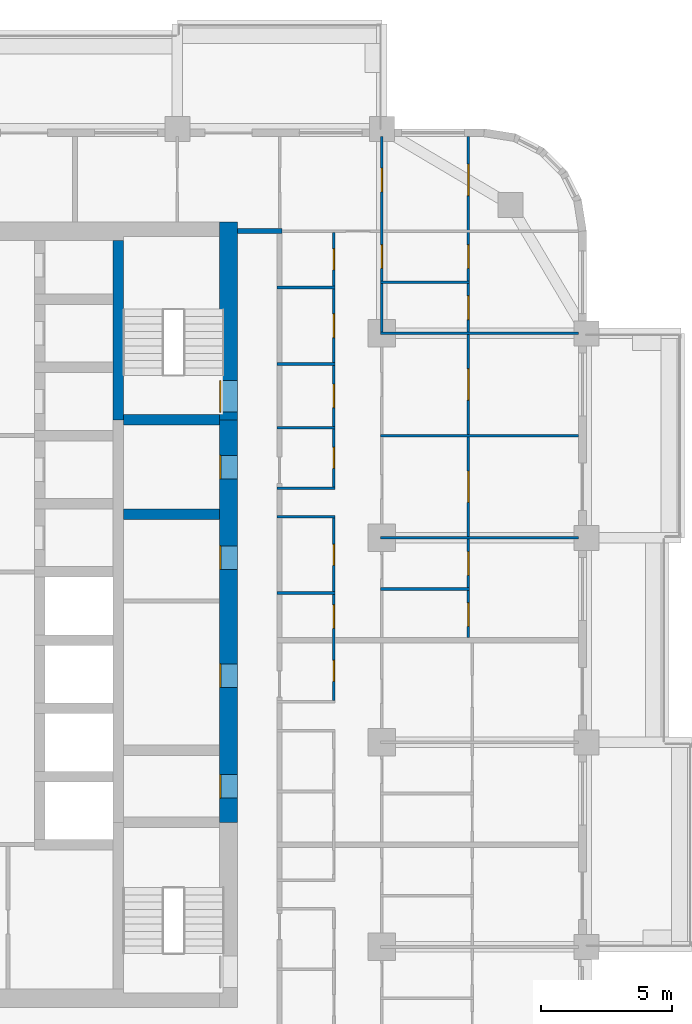
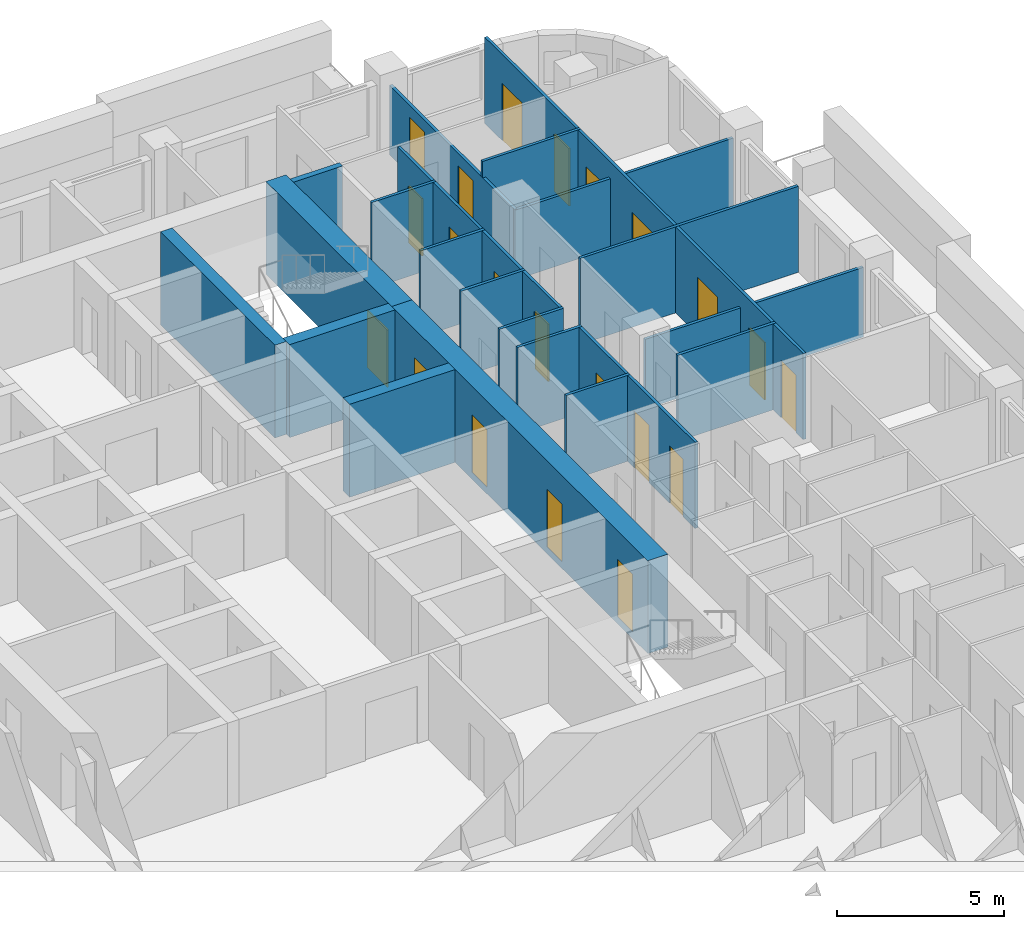
# One storey, part 12 of 17: 21 doors, 21 walls, 21 openings.
"""IFC4 building model written with IfcOpenShell, lengths in metres."""

from ifc_helpers import new_model, si_unit, direction, frame, frame_2d, origin, place, context, subcontext, project, spatial, rectangle, extrude, material, layer, layer_set, type_object, element, fill, save


model = new_model("IFC4")

# Units and contexts
model_context = context("Model", 3, precision=1e-05, world=origin(), true_north=direction((0.0, 1.0)))
body_context = subcontext(model_context, "Body", "Model", "MODEL_VIEW")
ifc_project = project(units=[si_unit("LENGTHUNIT", "METRE"), si_unit("AREAUNIT", "SQUARE_METRE"), si_unit("VOLUMEUNIT", "CUBIC_METRE"), si_unit("PLANEANGLEUNIT", "RADIAN"), si_unit("MASSUNIT", "GRAM", prefix="KILO")], contexts=[model_context])

# Site, building, storey
site_placement = place(None, origin())
site = spatial("IfcSite", under=ifc_project, at=site_placement, CompositionType="ELEMENT")
building_placement = place(site_placement, origin())
building = spatial("IfcBuilding", under=site, at=building_placement, Name="Ludao Terraces", CompositionType="ELEMENT")
storey_placement = place(building_placement, frame((0.0, 0.0, 85.199951171875)))
storey = spatial("IfcBuildingStorey", under=building, at=storey_placement, Name="L23", CompositionType="ELEMENT", Elevation=85.199951171875)

# Wall, openings, doors
ifc_material_1 = material(Name="Concrete C70", Category="concrete")
ifc_layer_1 = layer(ifc_material_1, 0.699951171875)
ifc_layer_set_1 = layer_set([ifc_layer_1], Name="Core wall 700 C70")
wall_type_1 = type_object("IfcWallType", Name="Core wall 700 C70", PredefinedType="SOLIDWALL", material=ifc_layer_set_1)
wall_1_placement = place(storey_placement, frame((94.75, 61.949951171875, -0.25), z_axis=(0.0, 0.0, 1.0), x_axis=(0.0, 1.0, 0.0)))
wall_1 = element("IfcWall", 1, at=wall_1_placement, inside=storey, type_object=wall_type_1, Name="Core wall L23 outer-E", PredefinedType="SOLIDWALL", context=body_context, shape_type="SweptSolid", body=[
    extrude(rectangle(XDim=15.35009765625, YDim=0.699951171875, at=frame_2d((7.675048828125, 0.0))), origin(), (0.0, 0.0, 1.0), 3.400146484375),
])
opening_1_placement = place(wall_1_placement, frame((0.925048828125, 0.0, 0.25)))
opening_1 = element("IfcOpeningElement", 2, at=opening_1_placement, cuts=wall_1, Name="Opening R07-080", PredefinedType="OPENING", context=body_context, shape_type="SweptSolid", body=[
    extrude(rectangle(XDim=0.89990234375, YDim=2.10009765625, at=frame_2d((0.449951171875, 1.050048828125))), frame((0.0, 0.35986328125, 0.0), z_axis=(0.0, -1.0, 0.0), x_axis=(1.0, 0.0, 0.0)), (0.0, 0.0, 1.0), 0.719970703125),
])
opening_2_placement = place(wall_1_placement, frame((5.14990234375, 0.0, 0.25)))
opening_2 = element("IfcOpeningElement", 3, at=opening_2_placement, cuts=wall_1, Name="Opening R07-091", PredefinedType="OPENING", context=body_context, shape_type="SweptSolid", body=[
    extrude(rectangle(XDim=0.89990234375, YDim=2.10009765625, at=frame_2d((0.449951171875, 1.050048828125))), frame((0.0, 0.35986328125, 0.0), z_axis=(0.0, -1.0, 0.0), x_axis=(1.0, 0.0, 0.0)), (0.0, 0.0, 1.0), 0.719970703125),
])
opening_3_placement = place(wall_1_placement, frame((9.64990234375, 0.0, 0.25)))
opening_3 = element("IfcOpeningElement", 4, at=opening_3_placement, cuts=wall_1, Name="Opening R07-108", PredefinedType="OPENING", context=body_context, shape_type="SweptSolid", body=[
    extrude(rectangle(XDim=0.89990234375, YDim=2.10009765625, at=frame_2d((0.449951171875, 1.050048828125))), frame((0.0, 0.35986328125, 0.0), z_axis=(0.0, -1.0, 0.0), x_axis=(1.0, 0.0, 0.0)), (0.0, 0.0, 1.0), 0.719970703125),
])
opening_4_placement = place(wall_1_placement, frame((13.10009765625, 0.0, 0.25)))
opening_4 = element("IfcOpeningElement", 5, at=opening_4_placement, cuts=wall_1, Name="Opening R07-120", PredefinedType="OPENING", context=body_context, shape_type="SweptSolid", body=[
    extrude(rectangle(XDim=0.89990234375, YDim=2.10009765625, at=frame_2d((0.449951171875, 1.050048828125))), frame((0.0, 0.35986328125, 0.0), z_axis=(0.0, -1.0, 0.0), x_axis=(1.0, 0.0, 0.0)), (0.0, 0.0, 1.0), 0.719970703125),
])
ifc_material_2 = material(Name="Steel Q235", Category="steel")
door_type_1 = type_object("IfcDoorType", Name="INT Riser door 900", OperationType="SINGLE_SWING_LEFT", PredefinedType="DOOR", material=ifc_material_2)
door_1_placement = place(opening_1_placement, origin())
door_1 = element("IfcDoor", 6, at=door_1_placement, inside=storey, type_object=door_type_1, Name="DOOR 080", OperationType="SINGLE_SWING_RIGHT", OverallHeight=2.10009765625, OverallWidth=0.89990234375, PredefinedType="DOOR", context=body_context, shape_type="SweptSolid", body=[
    extrude(rectangle(XDim=0.89990234375, YDim=2.10009765625, at=frame_2d((0.449951171875, 1.050048828125))), frame((0.0, 0.3349609375, 0.0), z_axis=(0.0, -1.0, 0.0), x_axis=(1.0, 0.0, 0.0)), (0.0, 0.0, 1.0), 0.050048828125),
])
fill(opening_1, door_1)
door_2_placement = place(opening_4_placement, origin())
door_2 = element("IfcDoor", 7, at=door_2_placement, inside=storey, type_object=door_type_1, Name="DOOR 120", OperationType="SINGLE_SWING_LEFT", OverallHeight=2.10009765625, OverallWidth=0.89990234375, PredefinedType="DOOR", context=body_context, shape_type="SweptSolid", body=[
    extrude(rectangle(XDim=0.89990234375, YDim=2.10009765625, at=frame_2d((0.449951171875, 1.050048828125))), frame((0.0, 0.3349609375, 0.0), z_axis=(0.0, -1.0, 0.0), x_axis=(1.0, 0.0, 0.0)), (0.0, 0.0, 1.0), 0.050048828125),
])
fill(opening_4, door_2)
ifc_material_3 = material(Name="Timber door leaf", Category="wood")
door_type_2 = type_object("IfcDoorType", Name="INT Room door 900", OperationType="SINGLE_SWING_LEFT", PredefinedType="DOOR", material=ifc_material_3)
door_3_placement = place(opening_2_placement, origin())
door_3 = element("IfcDoor", 8, at=door_3_placement, inside=storey, type_object=door_type_2, Name="DOOR 091", OperationType="SINGLE_SWING_LEFT", OverallHeight=2.10009765625, OverallWidth=0.89990234375, PredefinedType="DOOR", context=body_context, shape_type="SweptSolid", body=[
    extrude(rectangle(XDim=0.89990234375, YDim=2.10009765625, at=frame_2d((0.449951171875, 1.050048828125))), frame((0.0, 0.3349609375, 0.0), z_axis=(0.0, -1.0, 0.0), x_axis=(1.0, 0.0, 0.0)), (0.0, 0.0, 1.0), 0.050048828125),
])
fill(opening_2, door_3)
door_4_placement = place(opening_3_placement, origin())
door_4 = element("IfcDoor", 9, at=door_4_placement, inside=storey, type_object=door_type_2, Name="DOOR 108", OperationType="SINGLE_SWING_RIGHT", OverallHeight=2.10009765625, OverallWidth=0.89990234375, PredefinedType="DOOR", context=body_context, shape_type="SweptSolid", body=[
    extrude(rectangle(XDim=0.89990234375, YDim=2.10009765625, at=frame_2d((0.449951171875, 1.050048828125))), frame((0.0, 0.3349609375, 0.0), z_axis=(0.0, -1.0, 0.0), x_axis=(1.0, 0.0, 0.0)), (0.0, 0.0, 1.0), 0.050048828125),
])
fill(opening_3, door_4)

# Wall, opening, door
wall_2_placement = place(storey_placement, frame((94.75, 77.300048828125, -0.25), z_axis=(0.0, 0.0, 1.0), x_axis=(0.0, 1.0, 0.0)))
wall_2 = element("IfcWall", 10, at=wall_2_placement, inside=storey, type_object=wall_type_1, Name="Core wall L23 outer-E-S2", PredefinedType="SOLIDWALL", context=body_context, shape_type="SweptSolid", body=[
    extrude(rectangle(XDim=7.550048828125, YDim=0.699951171875, at=frame_2d((3.77490234375, 0.0))), origin(), (0.0, 0.0, 1.0), 3.400146484375),
])
opening_5_placement = place(wall_2_placement, frame((0.300048828125, 0.0, 0.25)))
opening_5 = element("IfcOpeningElement", 11, at=opening_5_placement, cuts=wall_2, Name="Opening R07-132", PredefinedType="OPENING", context=body_context, shape_type="SweptSolid", body=[
    extrude(rectangle(XDim=1.199951171875, YDim=2.10009765625, at=frame_2d((0.60009765625, 1.050048828125))), frame((0.0, 0.35986328125, 0.0), z_axis=(0.0, -1.0, 0.0), x_axis=(1.0, 0.0, 0.0)), (0.0, 0.0, 1.0), 0.719970703125),
])
door_type_3 = type_object("IfcDoorType", Name="INT Stair door 1200", OperationType="DOUBLE_DOOR_SINGLE_SWING", PredefinedType="DOOR", material=ifc_material_2)
door_5_placement = place(opening_5_placement, origin())
door_5 = element("IfcDoor", 12, at=door_5_placement, inside=storey, type_object=door_type_3, Name="DOOR 132", OperationType="DOUBLE_DOOR_SINGLE_SWING", OverallHeight=2.10009765625, OverallWidth=1.199951171875, PredefinedType="DOOR", context=body_context, shape_type="SweptSolid", body=[
    extrude(rectangle(XDim=1.199951171875, YDim=2.10009765625, at=frame_2d((0.60009765625, 1.050048828125))), frame((0.0, 0.3349609375, 0.0), z_axis=(0.0, -1.0, 0.0), x_axis=(1.0, 0.0, 0.0)), (0.0, 0.0, 1.0), 0.050048828125),
])
fill(opening_5, door_5)

# Walls
ifc_material_4 = material(Name="Autoclaved aerated concrete block B06 A3.5", Category="concrete")
ifc_layer_2 = layer(ifc_material_4, 0.199951171875)
ifc_layer_set_2 = layer_set([ifc_layer_2], Name="INT Entrance wall 200")
wall_type_2 = type_object("IfcWallType", Name="INT Entrance wall 200", PredefinedType="PARTITIONING", material=ifc_layer_set_2)
wall_3_placement = place(storey_placement, frame((95.10009765625, 84.5, 0.0), z_axis=(0.0, 0.0, 1.0), x_axis=(1.0, 0.0, 0.0)))
element("IfcWall", 13, at=wall_3_placement, inside=storey, type_object=wall_type_2, Name="PW-L23-PW077", PredefinedType="PARTITIONING", context=body_context, shape_type="SweptSolid", body=[
    extrude(rectangle(XDim=1.699951171875, YDim=0.199951171875, at=frame_2d((0.85009765625, 0.0))), origin(), (0.0, 0.0, 1.0), 3.150146484375),
])
ifc_material_5 = material(Name="Gypsum plasterboard", Category="gypsum")
ifc_layer_3 = layer(ifc_material_5, 0.012451171875, Category="gypsum")
ifc_material_6 = material(Name="Mineral wool")
ifc_layer_4 = layer(ifc_material_6, 0.06005859375, Name="insulation")
ifc_layer_5 = layer(ifc_material_2, 0.014892578125, Name="stud")
ifc_layer_6 = layer(ifc_material_5, 0.012451171875, Category="gypsum")
ifc_layer_set_3 = layer_set([ifc_layer_3, ifc_layer_4, ifc_layer_5, ifc_layer_6], Name="INT Partition 100")
wall_type_3 = type_object("IfcWallType", Name="INT Partition 100", PredefinedType="PARTITIONING", material=ifc_layer_set_3)
wall_4_placement = place(storey_placement, frame((96.60009765625, 70.699951171875, 0.0), z_axis=(0.0, 0.0, 1.0), x_axis=(1.0, 0.0, 0.0)))
element("IfcWall", 14, at=wall_4_placement, inside=storey, type_object=wall_type_3, Name="PW-L23-PW049", PredefinedType="PARTITIONING", context=body_context, shape_type="SweptSolid", body=[
    extrude(rectangle(XDim=2.219970703125, YDim=0.10009765625, at=frame_2d((1.10986328125, 0.0))), origin(), (0.0, 0.0, 1.0), 3.150146484375),
])
wall_5_placement = place(storey_placement, frame((100.550048828125, 70.85009765625, 0.0), z_axis=(0.0, 0.0, 1.0), x_axis=(1.0, 0.0, 0.0)))
element("IfcWall", 15, at=wall_5_placement, inside=storey, type_object=wall_type_3, Name="PW-L23-PW051", PredefinedType="PARTITIONING", context=body_context, shape_type="SweptSolid", body=[
    extrude(rectangle(XDim=3.400146484375, YDim=0.10009765625, at=frame_2d((1.7001953125, 0.0))), origin(), (0.0, 0.0, 1.0), 3.150146484375),
])
wall_6_placement = place(storey_placement, frame((100.550048828125, 72.800048828125, 0.0), z_axis=(0.0, 0.0, 1.0), x_axis=(1.0, 0.0, 0.0)))
element("IfcWall", 16, at=wall_6_placement, inside=storey, type_object=wall_type_3, Name="PW-L23-PW055", PredefinedType="PARTITIONING", context=body_context, shape_type="SweptSolid", body=[
    extrude(rectangle(XDim=7.550048828125, YDim=0.10009765625, at=frame_2d((3.77490234375, 0.0))), origin(), (0.0, 0.0, 1.0), 2.550048828125),
])
for number, where, z_axis, x_axis, name in (
    (17, (96.60009765625, 73.60009765625, 0.0), (0.0, 0.0, 1.0), (1.0, 0.0, 0.0), "PW-L23-PW056"),
    (18, (96.60009765625, 74.699951171875, 0.0), (0.0, 0.0, 1.0), (1.0, 0.0, 0.0), "PW-L23-PW058"),
):
    element("IfcWall", number, at=place(storey_placement, frame(where, z_axis=z_axis, x_axis=x_axis)), inside=storey, type_object=wall_type_3, Name=name, PredefinedType="PARTITIONING", context=body_context, shape_type="SweptSolid", body=[
        extrude(rectangle(XDim=2.219970703125, YDim=0.10009765625, at=frame_2d((1.10986328125, 0.0))), origin(), (0.0, 0.0, 1.0), 3.150146484375),
    ])
wall_7_placement = place(storey_placement, frame((100.550048828125, 76.699951171875, 0.0), z_axis=(0.0, 0.0, 1.0), x_axis=(1.0, 0.0, 0.0)))
element("IfcWall", 19, at=wall_7_placement, inside=storey, type_object=wall_type_3, Name="PW-L23-PW063", PredefinedType="PARTITIONING", context=body_context, shape_type="SweptSolid", body=[
    extrude(rectangle(XDim=7.550048828125, YDim=0.10009765625, at=frame_2d((3.77490234375, 0.0))), origin(), (0.0, 0.0, 1.0), 3.150146484375),
])
for number, where, z_axis, x_axis, name in (
    (20, (96.60009765625, 77.0, 0.0), (0.0, 0.0, 1.0), (1.0, 0.0, 0.0), "PW-L23-PW064"),
    (21, (96.60009765625, 79.429931640625, 0.0), (0.0, 0.0, 1.0), (1.0, 0.0, 0.0), "PW-L23-PW067"),
):
    element("IfcWall", number, at=place(storey_placement, frame(where, z_axis=z_axis, x_axis=x_axis)), inside=storey, type_object=wall_type_3, Name=name, PredefinedType="PARTITIONING", context=body_context, shape_type="SweptSolid", body=[
        extrude(rectangle(XDim=2.219970703125, YDim=0.10009765625, at=frame_2d((1.10986328125, 0.0))), origin(), (0.0, 0.0, 1.0), 3.150146484375),
    ])
wall_8_placement = place(storey_placement, frame((100.550048828125, 80.60009765625, 0.0), z_axis=(0.0, 0.0, 1.0), x_axis=(1.0, 0.0, 0.0)))
element("IfcWall", 22, at=wall_8_placement, inside=storey, type_object=wall_type_3, Name="PW-L23-PW070", PredefinedType="PARTITIONING", context=body_context, shape_type="SweptSolid", body=[
    extrude(rectangle(XDim=7.550048828125, YDim=0.10009765625, at=frame_2d((3.77490234375, 0.0))), origin(), (0.0, 0.0, 1.0), 2.550048828125),
])
wall_9_placement = place(storey_placement, frame((96.60009765625, 82.35009765625, 0.0), z_axis=(0.0, 0.0, 1.0), x_axis=(1.0, 0.0, 0.0)))
element("IfcWall", 23, at=wall_9_placement, inside=storey, type_object=wall_type_3, Name="PW-L23-PW072", PredefinedType="PARTITIONING", context=body_context, shape_type="SweptSolid", body=[
    extrude(rectangle(XDim=2.219970703125, YDim=0.10009765625, at=frame_2d((1.10986328125, 0.0))), origin(), (0.0, 0.0, 1.0), 3.150146484375),
])
wall_10_placement = place(storey_placement, frame((100.550048828125, 82.550048828125, 0.0), z_axis=(0.0, 0.0, 1.0), x_axis=(1.0, 0.0, 0.0)))
element("IfcWall", 24, at=wall_10_placement, inside=storey, type_object=wall_type_3, Name="PW-L23-PW073", PredefinedType="PARTITIONING", context=body_context, shape_type="SweptSolid", body=[
    extrude(rectangle(XDim=3.400146484375, YDim=0.10009765625, at=frame_2d((1.7001953125, 0.0))), origin(), (0.0, 0.0, 1.0), 3.150146484375),
])

# Wall, openings, doors
wall_11_placement = place(storey_placement, frame((98.77001953125, 66.60009765625, 0.0), z_axis=(0.0, 0.0, 1.0), x_axis=(0.0, 1.0, 0.0)))
wall_11 = element("IfcWall", 25, at=wall_11_placement, inside=storey, type_object=wall_type_3, Name="PW-L23-PW119", PredefinedType="PARTITIONING", context=body_context, shape_type="SweptSolid", body=[
    extrude(rectangle(XDim=6.949951171875, YDim=0.10009765625, at=frame_2d((3.47509765625, 0.0))), origin(), (0.0, 0.0, 1.0), 3.150146484375),
])
opening_6_placement = place(wall_11_placement, frame((0.72509765625, 0.0, 0.0)))
opening_6 = element("IfcOpeningElement", 26, at=opening_6_placement, cuts=wall_11, Name="Opening R07-093", PredefinedType="OPENING", context=body_context, shape_type="SweptSolid", body=[
    extrude(rectangle(XDim=0.800048828125, YDim=2.10009765625, at=frame_2d((0.39990234375, 1.050048828125))), frame((0.0, 0.06005859375, 0.0), z_axis=(0.0, -1.0, 0.0), x_axis=(1.0, 0.0, 0.0)), (0.0, 0.0, 1.0), 0.1201171875),
])
opening_7_placement = place(wall_11_placement, frame((2.75, 0.0, 0.0)))
opening_7 = element("IfcOpeningElement", 27, at=opening_7_placement, cuts=wall_11, Name="Opening R07-097", PredefinedType="OPENING", context=body_context, shape_type="SweptSolid", body=[
    extrude(rectangle(XDim=0.89990234375, YDim=2.10009765625, at=frame_2d((0.449951171875, 1.050048828125))), frame((0.0, 0.06005859375, 0.0), z_axis=(0.0, -1.0, 0.0), x_axis=(1.0, 0.0, 0.0)), (0.0, 0.0, 1.0), 0.1201171875),
])
opening_8_placement = place(wall_11_placement, frame((5.14990234375, 0.0, 0.0)))
opening_8 = element("IfcOpeningElement", 28, at=opening_8_placement, cuts=wall_11, Name="Opening R07-109", PredefinedType="OPENING", context=body_context, shape_type="SweptSolid", body=[
    extrude(rectangle(XDim=0.800048828125, YDim=2.10009765625, at=frame_2d((0.39990234375, 1.050048828125))), frame((0.0, 0.06005859375, 0.0), z_axis=(0.0, -1.0, 0.0), x_axis=(1.0, 0.0, 0.0)), (0.0, 0.0, 1.0), 0.1201171875),
])
door_type_4 = type_object("IfcDoorType", Name="INT Bathroom door 900", OperationType="SINGLE_SWING_LEFT", PredefinedType="DOOR", material=ifc_material_3)
door_6_placement = place(opening_7_placement, origin())
door_6 = element("IfcDoor", 29, at=door_6_placement, inside=storey, type_object=door_type_4, Name="DOOR 097", OperationType="SINGLE_SWING_LEFT", OverallHeight=2.10009765625, OverallWidth=0.89990234375, PredefinedType="DOOR", context=body_context, shape_type="SweptSolid", body=[
    extrude(rectangle(XDim=0.89990234375, YDim=2.10009765625, at=frame_2d((0.449951171875, 1.050048828125))), frame((0.0, 0.02490234375, 0.0), z_axis=(0.0, -1.0, 0.0), x_axis=(1.0, 0.0, 0.0)), (0.0, 0.0, 1.0), 0.050048828125),
])
fill(opening_7, door_6)
door_type_5 = type_object("IfcDoorType", Name="INT Store door 800", OperationType="SINGLE_SWING_LEFT", PredefinedType="DOOR", material=ifc_material_3)
door_7_placement = place(opening_6_placement, origin())
door_7 = element("IfcDoor", 30, at=door_7_placement, inside=storey, type_object=door_type_5, Name="DOOR 093", OperationType="SINGLE_SWING_RIGHT", OverallHeight=2.10009765625, OverallWidth=0.800048828125, PredefinedType="DOOR", context=body_context, shape_type="SweptSolid", body=[
    extrude(rectangle(XDim=0.800048828125, YDim=2.10009765625, at=frame_2d((0.39990234375, 1.050048828125))), frame((0.0, 0.02490234375, 0.0), z_axis=(0.0, -1.0, 0.0), x_axis=(1.0, 0.0, 0.0)), (0.0, 0.0, 1.0), 0.050048828125),
])
fill(opening_6, door_7)
door_8_placement = place(opening_8_placement, origin())
door_8 = element("IfcDoor", 31, at=door_8_placement, inside=storey, type_object=door_type_5, Name="DOOR 109", OperationType="SINGLE_SWING_RIGHT", OverallHeight=2.10009765625, OverallWidth=0.800048828125, PredefinedType="DOOR", context=body_context, shape_type="SweptSolid", body=[
    extrude(rectangle(XDim=0.800048828125, YDim=2.10009765625, at=frame_2d((0.39990234375, 1.050048828125))), frame((0.0, 0.02490234375, 0.0), z_axis=(0.0, -1.0, 0.0), x_axis=(1.0, 0.0, 0.0)), (0.0, 0.0, 1.0), 0.050048828125),
])
fill(opening_8, door_8)

wall_12_placement = place(storey_placement, frame((98.77001953125, 74.75, 0.0), z_axis=(0.0, 0.0, 1.0), x_axis=(0.0, 1.0, 0.0)))
wall_12 = element("IfcWall", 32, at=wall_12_placement, inside=storey, type_object=wall_type_3, Name="PW-L23-PW120", PredefinedType="PARTITIONING", context=body_context, shape_type="SweptSolid", body=[
    extrude(rectangle(XDim=9.7001953125, YDim=0.10009765625, at=frame_2d((4.85009765625, 0.0))), origin(), (0.0, 0.0, 1.0), 3.150146484375),
])
opening_9_placement = place(wall_12_placement, frame((0.7001953125, 0.0, 0.0)))
opening_9 = element("IfcOpeningElement", 33, at=opening_9_placement, cuts=wall_12, Name="Opening R07-123", PredefinedType="OPENING", context=body_context, shape_type="SweptSolid", body=[
    extrude(rectangle(XDim=0.800048828125, YDim=2.10009765625, at=frame_2d((0.39990234375, 1.050048828125))), frame((0.0, 0.06005859375, 0.0), z_axis=(0.0, -1.0, 0.0), x_axis=(1.0, 0.0, 0.0)), (0.0, 0.0, 1.0), 0.1201171875),
])
opening_10_placement = place(wall_12_placement, frame((3.01513671875, 0.0, 0.0)))
opening_10 = element("IfcOpeningElement", 34, at=opening_10_placement, cuts=wall_12, Name="Opening R07-133", PredefinedType="OPENING", context=body_context, shape_type="SweptSolid", body=[
    extrude(rectangle(XDim=0.89990234375, YDim=2.10009765625, at=frame_2d((0.449951171875, 1.050048828125))), frame((0.0, 0.06005859375, 0.0), z_axis=(0.0, -1.0, 0.0), x_axis=(1.0, 0.0, 0.0)), (0.0, 0.0, 1.0), 0.1201171875),
])
opening_11_placement = place(wall_12_placement, frame((5.690185546875, 0.0, 0.0)))
opening_11 = element("IfcOpeningElement", 35, at=opening_11_placement, cuts=wall_12, Name="Opening R07-141", PredefinedType="OPENING", context=body_context, shape_type="SweptSolid", body=[
    extrude(rectangle(XDim=0.89990234375, YDim=2.10009765625, at=frame_2d((0.449951171875, 1.050048828125))), frame((0.0, 0.06005859375, 0.0), z_axis=(0.0, -1.0, 0.0), x_axis=(1.0, 0.0, 0.0)), (0.0, 0.0, 1.0), 0.1201171875),
])
opening_12_placement = place(wall_12_placement, frame((8.275146484375, 0.0, 0.0)))
opening_12 = element("IfcOpeningElement", 36, at=opening_12_placement, cuts=wall_12, Name="Opening R07-149", PredefinedType="OPENING", context=body_context, shape_type="SweptSolid", body=[
    extrude(rectangle(XDim=0.800048828125, YDim=2.10009765625, at=frame_2d((0.39990234375, 1.050048828125))), frame((0.0, 0.06005859375, 0.0), z_axis=(0.0, -1.0, 0.0), x_axis=(1.0, 0.0, 0.0)), (0.0, 0.0, 1.0), 0.1201171875),
])
door_9_placement = place(opening_10_placement, origin())
door_9 = element("IfcDoor", 37, at=door_9_placement, inside=storey, type_object=door_type_4, Name="DOOR 133", OperationType="SINGLE_SWING_LEFT", OverallHeight=2.10009765625, OverallWidth=0.89990234375, PredefinedType="DOOR", context=body_context, shape_type="SweptSolid", body=[
    extrude(rectangle(XDim=0.89990234375, YDim=2.10009765625, at=frame_2d((0.449951171875, 1.050048828125))), frame((0.0, 0.02490234375, 0.0), z_axis=(0.0, -1.0, 0.0), x_axis=(1.0, 0.0, 0.0)), (0.0, 0.0, 1.0), 0.050048828125),
])
fill(opening_10, door_9)
door_10_placement = place(opening_11_placement, origin())
door_10 = element("IfcDoor", 38, at=door_10_placement, inside=storey, type_object=door_type_2, Name="DOOR 141", OperationType="SINGLE_SWING_LEFT", OverallHeight=2.10009765625, OverallWidth=0.89990234375, PredefinedType="DOOR", context=body_context, shape_type="SweptSolid", body=[
    extrude(rectangle(XDim=0.89990234375, YDim=2.10009765625, at=frame_2d((0.449951171875, 1.050048828125))), frame((0.0, 0.02490234375, 0.0), z_axis=(0.0, -1.0, 0.0), x_axis=(1.0, 0.0, 0.0)), (0.0, 0.0, 1.0), 0.050048828125),
])
fill(opening_11, door_10)
door_11_placement = place(opening_9_placement, origin())
door_11 = element("IfcDoor", 39, at=door_11_placement, inside=storey, type_object=door_type_5, Name="DOOR 123", OperationType="SINGLE_SWING_LEFT", OverallHeight=2.10009765625, OverallWidth=0.800048828125, PredefinedType="DOOR", context=body_context, shape_type="SweptSolid", body=[
    extrude(rectangle(XDim=0.800048828125, YDim=2.10009765625, at=frame_2d((0.39990234375, 1.050048828125))), frame((0.0, 0.02490234375, 0.0), z_axis=(0.0, -1.0, 0.0), x_axis=(1.0, 0.0, 0.0)), (0.0, 0.0, 1.0), 0.050048828125),
])
fill(opening_9, door_11)
door_12_placement = place(opening_12_placement, origin())
door_12 = element("IfcDoor", 40, at=door_12_placement, inside=storey, type_object=door_type_5, Name="DOOR 149", OperationType="SINGLE_SWING_LEFT", OverallHeight=2.10009765625, OverallWidth=0.800048828125, PredefinedType="DOOR", context=body_context, shape_type="SweptSolid", body=[
    extrude(rectangle(XDim=0.800048828125, YDim=2.10009765625, at=frame_2d((0.39990234375, 1.050048828125))), frame((0.0, 0.02490234375, 0.0), z_axis=(0.0, -1.0, 0.0), x_axis=(1.0, 0.0, 0.0)), (0.0, 0.0, 1.0), 0.050048828125),
])
fill(opening_12, door_12)

wall_13_placement = place(storey_placement, frame((100.60009765625, 80.60009765625, 0.0), z_axis=(0.0, 0.0, 1.0), x_axis=(0.0, 1.0, 0.0)))
wall_13 = element("IfcWall", 41, at=wall_13_placement, inside=storey, type_object=wall_type_3, Name="PW-L23-PW121-3", PredefinedType="PARTITIONING", context=body_context, shape_type="SweptSolid", body=[
    extrude(rectangle(XDim=7.5, YDim=0.10009765625, at=frame_2d((3.75, 0.0))), origin(), (0.0, 0.0, 1.0), 2.550048828125),
])
opening_13_placement = place(wall_13_placement, frame((2.47509765625, 0.0, 0.0)))
opening_13 = element("IfcOpeningElement", 42, at=opening_13_placement, cuts=wall_13, Name="Opening R07-150", PredefinedType="OPENING", context=body_context, shape_type="SweptSolid", body=[
    extrude(rectangle(XDim=0.89990234375, YDim=2.10009765625, at=frame_2d((0.449951171875, 1.050048828125))), frame((0.0, 0.06005859375, 0.0), z_axis=(0.0, -1.0, 0.0), x_axis=(1.0, 0.0, 0.0)), (0.0, 0.0, 1.0), 0.1201171875),
])
opening_14_placement = place(wall_13_placement, frame((5.39990234375, 0.0, 0.0)))
opening_14 = element("IfcOpeningElement", 43, at=opening_14_placement, cuts=wall_13, Name="Opening R07-163", PredefinedType="OPENING", context=body_context, shape_type="SweptSolid", body=[
    extrude(rectangle(XDim=0.89990234375, YDim=2.10009765625, at=frame_2d((0.449951171875, 1.050048828125))), frame((0.0, 0.06005859375, 0.0), z_axis=(0.0, -1.0, 0.0), x_axis=(1.0, 0.0, 0.0)), (0.0, 0.0, 1.0), 0.1201171875),
])
door_13_placement = place(opening_13_placement, origin())
door_13 = element("IfcDoor", 44, at=door_13_placement, inside=storey, type_object=door_type_2, Name="DOOR 150", OperationType="SINGLE_SWING_RIGHT", OverallHeight=2.10009765625, OverallWidth=0.89990234375, PredefinedType="DOOR", context=body_context, shape_type="SweptSolid", body=[
    extrude(rectangle(XDim=0.89990234375, YDim=2.10009765625, at=frame_2d((0.449951171875, 1.050048828125))), frame((0.0, 0.02490234375, 0.0), z_axis=(0.0, -1.0, 0.0), x_axis=(1.0, 0.0, 0.0)), (0.0, 0.0, 1.0), 0.050048828125),
])
fill(opening_13, door_13)
door_14_placement = place(opening_14_placement, origin())
door_14 = element("IfcDoor", 45, at=door_14_placement, inside=storey, type_object=door_type_2, Name="DOOR 163", OperationType="SINGLE_SWING_LEFT", OverallHeight=2.10009765625, OverallWidth=0.89990234375, PredefinedType="DOOR", context=body_context, shape_type="SweptSolid", body=[
    extrude(rectangle(XDim=0.89990234375, YDim=2.10009765625, at=frame_2d((0.449951171875, 1.050048828125))), frame((0.0, 0.02490234375, 0.0), z_axis=(0.0, -1.0, 0.0), x_axis=(1.0, 0.0, 0.0)), (0.0, 0.0, 1.0), 0.050048828125),
])
fill(opening_14, door_14)

wall_14_placement = place(storey_placement, frame((103.89990234375, 69.0, 0.0), z_axis=(0.0, 0.0, 1.0), x_axis=(0.0, 1.0, 0.0)))
wall_14 = element("IfcWall", 46, at=wall_14_placement, inside=storey, type_object=wall_type_3, Name="PW-L23-PW122", PredefinedType="PARTITIONING", context=body_context, shape_type="SweptSolid", body=[
    extrude(rectangle(XDim=19.10009765625, YDim=0.10009765625, at=frame_2d((9.550048828125, 0.0))), origin(), (0.0, 0.0, 1.0), 3.150146484375),
])
opening_15_placement = place(wall_14_placement, frame((0.425048828125, 0.0, 0.0)))
opening_15 = element("IfcOpeningElement", 47, at=opening_15_placement, cuts=wall_14, Name="Opening R07-099", PredefinedType="OPENING", context=body_context, shape_type="SweptSolid", body=[
    extrude(rectangle(XDim=0.89990234375, YDim=2.10009765625, at=frame_2d((0.449951171875, 1.050048828125))), frame((0.0, 0.06005859375, 0.0), z_axis=(0.0, -1.0, 0.0), x_axis=(1.0, 0.0, 0.0)), (0.0, 0.0, 1.0), 0.1201171875),
])
opening_16_placement = place(wall_14_placement, frame((2.375, 0.0, 0.0)))
opening_16 = element("IfcOpeningElement", 48, at=opening_16_placement, cuts=wall_14, Name="Opening R07-107", PredefinedType="OPENING", context=body_context, shape_type="SweptSolid", body=[
    extrude(rectangle(XDim=0.89990234375, YDim=2.10009765625, at=frame_2d((0.449951171875, 1.050048828125))), frame((0.0, 0.06005859375, 0.0), z_axis=(0.0, -1.0, 0.0), x_axis=(1.0, 0.0, 0.0)), (0.0, 0.0, 1.0), 0.1201171875),
])
opening_17_placement = place(wall_14_placement, frame((5.150146484375, 0.0, 0.0)))
opening_17 = element("IfcOpeningElement", 49, at=opening_17_placement, cuts=wall_14, Name="Opening R07-115", PredefinedType="OPENING", context=body_context, shape_type="SweptSolid", body=[
    extrude(rectangle(XDim=1.199951171875, YDim=2.10009765625, at=frame_2d((0.60009765625, 1.050048828125))), frame((0.0, 0.06005859375, 0.0), z_axis=(0.0, -1.0, 0.0), x_axis=(1.0, 0.0, 0.0)), (0.0, 0.0, 1.0), 0.1201171875),
])
opening_18_placement = place(wall_14_placement, frame((9.050048828125, 0.0, 0.0)))
opening_18 = element("IfcOpeningElement", 50, at=opening_18_placement, cuts=wall_14, Name="Opening R07-135", PredefinedType="OPENING", context=body_context, shape_type="SweptSolid", body=[
    extrude(rectangle(XDim=1.199951171875, YDim=2.10009765625, at=frame_2d((0.60009765625, 1.050048828125))), frame((0.0, 0.06005859375, 0.0), z_axis=(0.0, -1.0, 0.0), x_axis=(1.0, 0.0, 0.0)), (0.0, 0.0, 1.0), 0.1201171875),
])
opening_19_placement = place(wall_14_placement, frame((12.125, 0.0, 0.0)))
opening_19 = element("IfcOpeningElement", 51, at=opening_19_placement, cuts=wall_14, Name="Opening R07-144", PredefinedType="OPENING", context=body_context, shape_type="SweptSolid", body=[
    extrude(rectangle(XDim=0.89990234375, YDim=2.10009765625, at=frame_2d((0.449951171875, 1.050048828125))), frame((0.0, 0.06005859375, 0.0), z_axis=(0.0, -1.0, 0.0), x_axis=(1.0, 0.0, 0.0)), (0.0, 0.0, 1.0), 0.1201171875),
])
opening_20_placement = place(wall_14_placement, frame((14.0751953125, 0.0, 0.0)))
opening_20 = element("IfcOpeningElement", 52, at=opening_20_placement, cuts=wall_14, Name="Opening R07-151", PredefinedType="OPENING", context=body_context, shape_type="SweptSolid", body=[
    extrude(rectangle(XDim=0.89990234375, YDim=2.10009765625, at=frame_2d((0.449951171875, 1.050048828125))), frame((0.0, 0.06005859375, 0.0), z_axis=(0.0, -1.0, 0.0), x_axis=(1.0, 0.0, 0.0)), (0.0, 0.0, 1.0), 0.1201171875),
])
opening_21_placement = place(wall_14_placement, frame((16.85009765625, 0.0, 0.0)))
opening_21 = element("IfcOpeningElement", 53, at=opening_21_placement, cuts=wall_14, Name="Opening R07-164", PredefinedType="OPENING", context=body_context, shape_type="SweptSolid", body=[
    extrude(rectangle(XDim=1.199951171875, YDim=2.10009765625, at=frame_2d((0.60009765625, 1.050048828125))), frame((0.0, 0.06005859375, 0.0), z_axis=(0.0, -1.0, 0.0), x_axis=(1.0, 0.0, 0.0)), (0.0, 0.0, 1.0), 0.1201171875),
])
door_15_placement = place(opening_15_placement, origin())
door_15 = element("IfcDoor", 54, at=door_15_placement, inside=storey, type_object=door_type_4, Name="DOOR 099", OperationType="SINGLE_SWING_LEFT", OverallHeight=2.10009765625, OverallWidth=0.89990234375, PredefinedType="DOOR", context=body_context, shape_type="SweptSolid", body=[
    extrude(rectangle(XDim=0.89990234375, YDim=2.10009765625, at=frame_2d((0.449951171875, 1.050048828125))), frame((0.0, 0.02490234375, 0.0), z_axis=(0.0, -1.0, 0.0), x_axis=(1.0, 0.0, 0.0)), (0.0, 0.0, 1.0), 0.050048828125),
])
fill(opening_15, door_15)
door_16_placement = place(opening_19_placement, origin())
door_16 = element("IfcDoor", 55, at=door_16_placement, inside=storey, type_object=door_type_4, Name="DOOR 144", OperationType="SINGLE_SWING_LEFT", OverallHeight=2.10009765625, OverallWidth=0.89990234375, PredefinedType="DOOR", context=body_context, shape_type="SweptSolid", body=[
    extrude(rectangle(XDim=0.89990234375, YDim=2.10009765625, at=frame_2d((0.449951171875, 1.050048828125))), frame((0.0, 0.02490234375, 0.0), z_axis=(0.0, -1.0, 0.0), x_axis=(1.0, 0.0, 0.0)), (0.0, 0.0, 1.0), 0.050048828125),
])
fill(opening_19, door_16)
door_type_6 = type_object("IfcDoorType", Name="INT Double door 1200", OperationType="DOUBLE_DOOR_SINGLE_SWING", PredefinedType="DOOR", material=ifc_material_3)
door_17_placement = place(opening_17_placement, origin())
door_17 = element("IfcDoor", 56, at=door_17_placement, inside=storey, type_object=door_type_6, Name="DOOR 115", OperationType="DOUBLE_DOOR_SINGLE_SWING", OverallHeight=2.10009765625, OverallWidth=1.199951171875, PredefinedType="DOOR", context=body_context, shape_type="SweptSolid", body=[
    extrude(rectangle(XDim=1.199951171875, YDim=2.10009765625, at=frame_2d((0.60009765625, 1.050048828125))), frame((0.0, 0.02490234375, 0.0), z_axis=(0.0, -1.0, 0.0), x_axis=(1.0, 0.0, 0.0)), (0.0, 0.0, 1.0), 0.050048828125),
])
fill(opening_17, door_17)
door_18_placement = place(opening_18_placement, origin())
door_18 = element("IfcDoor", 57, at=door_18_placement, inside=storey, type_object=door_type_6, Name="DOOR 135", OperationType="DOUBLE_DOOR_SINGLE_SWING", OverallHeight=2.10009765625, OverallWidth=1.199951171875, PredefinedType="DOOR", context=body_context, shape_type="SweptSolid", body=[
    extrude(rectangle(XDim=1.199951171875, YDim=2.10009765625, at=frame_2d((0.60009765625, 1.050048828125))), frame((0.0, 0.02490234375, 0.0), z_axis=(0.0, -1.0, 0.0), x_axis=(1.0, 0.0, 0.0)), (0.0, 0.0, 1.0), 0.050048828125),
])
fill(opening_18, door_18)
door_19_placement = place(opening_21_placement, origin())
door_19 = element("IfcDoor", 58, at=door_19_placement, inside=storey, type_object=door_type_6, Name="DOOR 164", OperationType="DOUBLE_DOOR_SINGLE_SWING", OverallHeight=2.10009765625, OverallWidth=1.199951171875, PredefinedType="DOOR", context=body_context, shape_type="SweptSolid", body=[
    extrude(rectangle(XDim=1.199951171875, YDim=2.10009765625, at=frame_2d((0.60009765625, 1.050048828125))), frame((0.0, 0.02490234375, 0.0), z_axis=(0.0, -1.0, 0.0), x_axis=(1.0, 0.0, 0.0)), (0.0, 0.0, 1.0), 0.050048828125),
])
fill(opening_21, door_19)
door_20_placement = place(opening_16_placement, origin())
door_20 = element("IfcDoor", 59, at=door_20_placement, inside=storey, type_object=door_type_2, Name="DOOR 107", OperationType="SINGLE_SWING_RIGHT", OverallHeight=2.10009765625, OverallWidth=0.89990234375, PredefinedType="DOOR", context=body_context, shape_type="SweptSolid", body=[
    extrude(rectangle(XDim=0.89990234375, YDim=2.10009765625, at=frame_2d((0.449951171875, 1.050048828125))), frame((0.0, 0.02490234375, 0.0), z_axis=(0.0, -1.0, 0.0), x_axis=(1.0, 0.0, 0.0)), (0.0, 0.0, 1.0), 0.050048828125),
])
fill(opening_16, door_20)
door_21_placement = place(opening_20_placement, origin())
door_21 = element("IfcDoor", 60, at=door_21_placement, inside=storey, type_object=door_type_2, Name="DOOR 151", OperationType="SINGLE_SWING_LEFT", OverallHeight=2.10009765625, OverallWidth=0.89990234375, PredefinedType="DOOR", context=body_context, shape_type="SweptSolid", body=[
    extrude(rectangle(XDim=0.89990234375, YDim=2.10009765625, at=frame_2d((0.449951171875, 1.050048828125))), frame((0.0, 0.02490234375, 0.0), z_axis=(0.0, -1.0, 0.0), x_axis=(1.0, 0.0, 0.0)), (0.0, 0.0, 1.0), 0.050048828125),
])
fill(opening_20, door_21)

# Walls
ifc_material_7 = material(Name="Concrete C60", Category="concrete")
ifc_layer_7 = layer(ifc_material_7, 0.39990234375)
ifc_layer_set_4 = layer_set([ifc_layer_7], Name="Shaft wall 400 C60")
wall_type_4 = type_object("IfcWallType", Name="Shaft wall 400 C60", PredefinedType="SOLIDWALL", material=ifc_layer_set_4)
wall_15_placement = place(storey_placement, frame((90.550048828125, 77.300048828125, -0.25), z_axis=(0.0, 0.0, 1.0), x_axis=(0.0, 1.0, 0.0)))
element("IfcWall", 61, at=wall_15_placement, inside=storey, type_object=wall_type_4, Name="Core wall L23 back-E-S2", PredefinedType="SOLIDWALL", context=body_context, shape_type="SweptSolid", body=[
    extrude(rectangle(XDim=6.849853515625, YDim=0.39990234375, at=frame_2d((3.4248046875, 0.0))), origin(), (0.0, 0.0, 1.0), 3.400146484375),
])
for number, where, z_axis, x_axis, name in (
    (62, (90.75, 73.699951171875, -0.25), (0.0, 0.0, 1.0), (1.0, 0.0, 0.0), "Core wall L23 riser-b-E"),
    (63, (90.75, 77.300048828125, -0.25), (0.0, 0.0, 1.0), (1.0, 0.0, 0.0), "Core wall L23 stair-E"),
):
    element("IfcWall", number, at=place(storey_placement, frame(where, z_axis=z_axis, x_axis=x_axis)), inside=storey, type_object=wall_type_4, Name=name, PredefinedType="SOLIDWALL", context=body_context, shape_type="SweptSolid", body=[
        extrude(rectangle(XDim=3.64990234375, YDim=0.39990234375, at=frame_2d((1.824951171875, 0.0))), origin(), (0.0, 0.0, 1.0), 3.400146484375),
    ])

save(model, "model.ifc")
